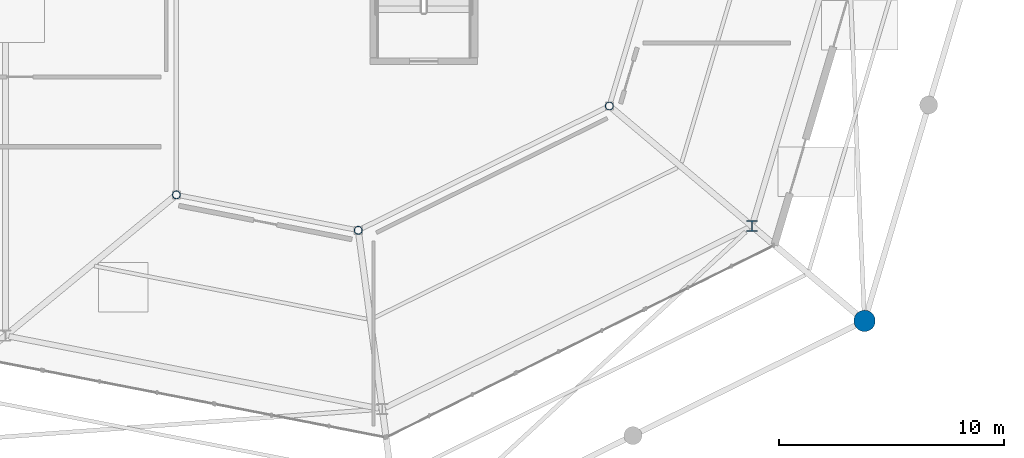
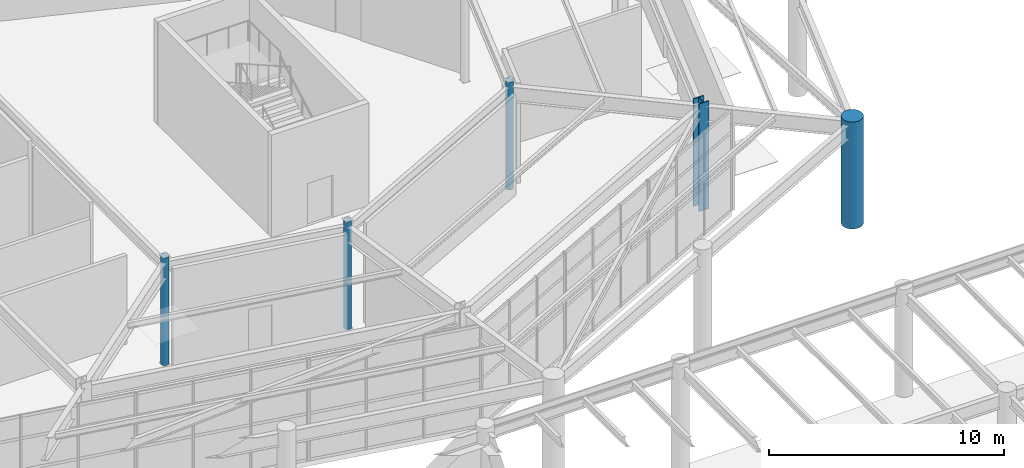
# One storey, part 15 of 70: 5 columns.
"""IFC4 building model written with IfcOpenShell, lengths in metres."""

from ifc_helpers import new_model, si_unit, direction, frame, origin, origin_2d, place, context, subcontext, project, spatial, circle, hollow_circle, i_section, extrude, material, material_profile, profile_set, type_object, element, save


model = new_model("IFC4")

# Units and contexts
model_context = context("Model", 3, precision=1e-05, world=origin(), true_north=direction((0.0, 1.0)))
body_context = subcontext(model_context, "Body", "Model", "MODEL_VIEW")
ifc_project = project(units=[si_unit("LENGTHUNIT", "METRE"), si_unit("AREAUNIT", "SQUARE_METRE"), si_unit("VOLUMEUNIT", "CUBIC_METRE"), si_unit("PLANEANGLEUNIT", "RADIAN"), si_unit("MASSUNIT", "GRAM", prefix="KILO")], contexts=[model_context])

# Site, building, storey
site_placement = place(None, origin())
site = spatial("IfcSite", under=ifc_project, at=site_placement, CompositionType="ELEMENT")
building_placement = place(site_placement, origin())
building = spatial("IfcBuilding", under=site, at=building_placement, Name="Sarnbrook Museum", CompositionType="ELEMENT")
storey_placement = place(building_placement, origin())
storey = spatial("IfcBuildingStorey", under=building, at=storey_placement, Name="L00", CompositionType="ELEMENT", Elevation=0.0)

# Columns
ifc_material_1 = material(Name="Structural Steel Hollow Section Grade C350L0 (AS/NZS 1163, fy = 350 MPa)", Category="steel")
ifc_material_profile_1 = material_profile(ifc_material_1, hollow_circle(Radius=0.177734375, WallThickness=0.0126953125, at=origin_2d()), Name="355.6x12.7CHS")
ifc_profile_set_1 = profile_set([ifc_material_profile_1], Name="Structural Steel Hollow Section Grade C350L0 (AS/NZS 1163, fy = 350 MPa)")
column_type_1 = type_object("IfcColumnType", Name="COL-CHS355", PredefinedType="COLUMN", material=ifc_profile_set_1)
for number, where, z_axis, x_axis, name in (
    (1, (132.800048828125, 74.405029296875, 0.0), (0.0, 0.0, 1.0), (1.0, 0.0, 0.0), "Crystal Gallery Feature Column R2-1 L00"),
    (2, (140.88720703125, 72.828857421875, 0.0), (0.0, 0.0, 1.0), (1.0, 0.0, 0.0), "Crystal Gallery Feature Column R2-2 L00"),
    (3, (152.05029296875, 78.356201171875, 0.0), (0.0, 0.0, 1.0), (1.0, 0.0, 0.0), "Crystal Gallery Feature Column R2-3 L00"),
):
    element("IfcColumn", number, at=place(storey_placement, frame(where, z_axis=z_axis, x_axis=x_axis)), inside=storey, type_object=column_type_1, Name=name, PredefinedType="COLUMN", context=body_context, shape_type="SweptSolid", body=[
        extrude(hollow_circle(Radius=0.177734375, WallThickness=0.0126953125, at=origin_2d()), origin(), (0.0, 0.0, 1.0), 5.60009765625),
    ])
ifc_material_2 = material(Name="Concrete N50 (AS 3600, f'c = 50 MPa)", Category="concrete")
ifc_material_profile_2 = material_profile(ifc_material_2, circle(Radius=0.47509765625, at=origin_2d()), Name="DORIC D950")
ifc_profile_set_2 = profile_set([ifc_material_profile_2], Name="Concrete N50 (AS 3600, f'c = 50 MPa)")
column_type_2 = type_object("IfcColumnType", Name="COL-DORIC950", PredefinedType="COLUMN", material=ifc_profile_set_2)
column_1_placement = place(storey_placement, frame((163.39990234375, 68.800048828125, 0.0), z_axis=(0.0, 0.0, 1.0), x_axis=(1.0, 0.0, 0.0)))
element("IfcColumn", 4, at=column_1_placement, inside=storey, type_object=column_type_2, Name="Doric Colonnade Corner Column V3 L00", PredefinedType="COLUMN", context=body_context, shape_type="SweptSolid", body=[
    extrude(circle(Radius=0.47509765625, at=origin_2d()), origin(), (0.0, 0.0, 1.0), 5.56005859375),
])
ifc_material_3 = material(Name="Structural Steel Grade 350L0 (AS/NZS 3678, fy = 340 MPa for 20 < t <= 40 mm)", Category="steel")
ifc_material_profile_3 = material_profile(ifc_material_3, i_section(OverallWidth=0.5, OverallDepth=0.489990234375, WebThickness=0.028076171875, FlangeThickness=0.0400390625, at=origin_2d()), Name="500WC340")
ifc_profile_set_3 = profile_set([ifc_material_profile_3], Name="Structural Steel Grade 350L0 (AS/NZS 3678, fy = 340 MPa for 20 < t <= 40 mm)")
column_type_3 = type_object("IfcColumnType", Name="COL-WC500", PredefinedType="COLUMN", material=ifc_profile_set_3)
column_2_placement = place(storey_placement, frame((158.392822265625, 73.015869140625, 0.0), z_axis=(0.0, 0.0, 1.0), x_axis=(1.0, 0.0, 0.0)))
element("IfcColumn", 5, at=column_2_placement, inside=storey, type_object=column_type_3, Name="Crystal Hall Ring Column R1-3 L00", PredefinedType="COLUMN", context=body_context, shape_type="SweptSolid", body=[
    extrude(i_section(OverallWidth=0.5, OverallDepth=0.489990234375, WebThickness=0.028076171875, FlangeThickness=0.0400390625, at=origin_2d()), origin(), (0.0, 0.0, 1.0), 5.60009765625),
])

save(model, "model.ifc")
